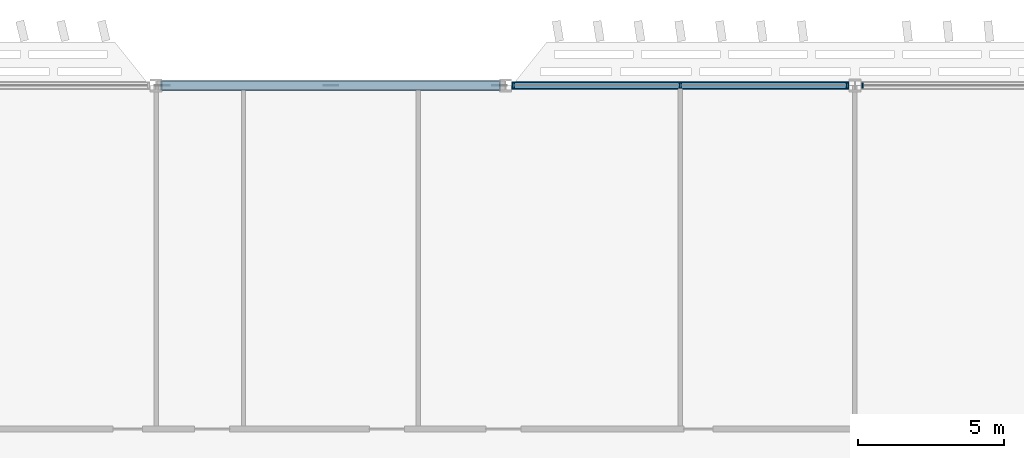
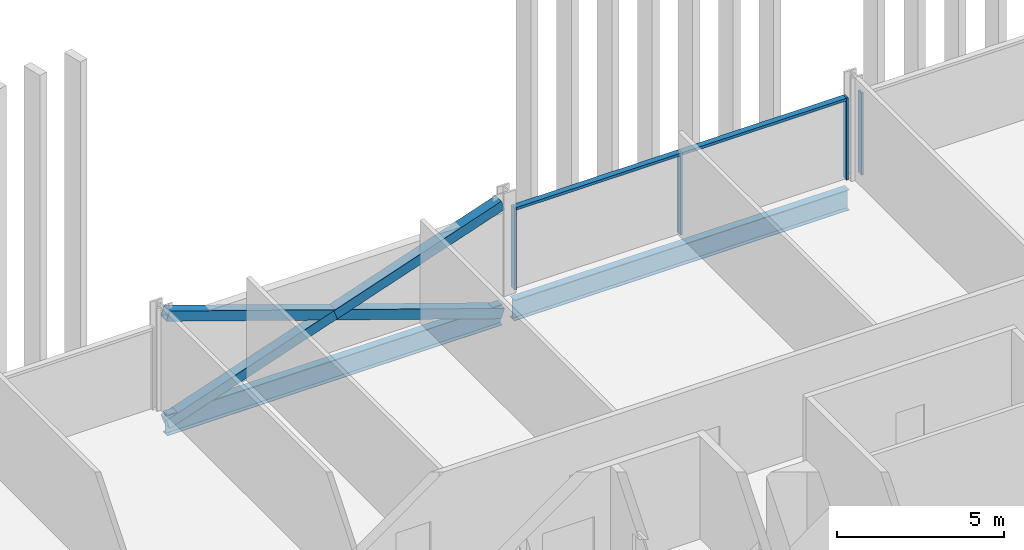
# One storey, part 7 of 31: 9 members, 2 beams, 2 elements without a shape of their own.
"""IFC4 building model written with IfcOpenShell, lengths in metres."""

import ifcopenshell
import ifcopenshell.guid

model = None  # the IFC model being written
_history = None  # IfcOwnerHistory: only IFC2X3 demands one
_inside = {}  # id of a spatial element -> (the spatial element, [elements in it])
_under = {}  # id of a project, library or spatial element -> (it, [spatial elements below it])
_declared = {}  # id of a project -> (the project, [libraries it declares])
_typed = {}  # id of a type object -> (the type object, [elements of that type])
_made_of = {}  # id of a material, layer set ... -> (it, [elements and type objects made of it])


def new_model(schema):
    """Start an empty IFC model of exactly this schema.

    Asked for "IFC4X3", IfcOpenShell would pick the latest addendum, in which some entities
    have other attributes; the version numbers below select the first issue.
    IFC2X3 requires an IfcOwnerHistory on every rooted entity: one is made here for all.
    """
    global model, _history
    if schema == "IFC4X3":
        model = ifcopenshell.file(schema_version=(4, 3, 0, 0))
    else:
        model = ifcopenshell.file(schema=schema)
    _inside.clear()
    _under.clear()
    _declared.clear()
    _typed.clear()
    _made_of.clear()
    _history = None
    if model.schema == "IFC2X3":
        org = make("IfcOrganization", Name="unknown")
        user = make(
            "IfcPersonAndOrganization",
            ThePerson=make("IfcPerson", FamilyName="unknown"),
            TheOrganization=org,
        )
        app = make(
            "IfcApplication",
            ApplicationDeveloper=org,
            Version="unknown",
            ApplicationFullName="unknown",
            ApplicationIdentifier="unknown",
        )
        _history = make(
            "IfcOwnerHistory",
            OwningUser=user,
            OwningApplication=app,
            ChangeAction="ADDED",
            CreationDate=0,
        )
    return model


def make(cls, **values):
    """One entity of the class cls with the attributes given. An attribute that is None is left unset."""
    return model.create_entity(
        cls, **{name: value for name, value in values.items() if value is not None}
    )


def rooted(cls, **values):
    """An entity with a GlobalId (a new one), such as an element, a storey or a relation."""
    return make(cls, GlobalId=ifcopenshell.guid.new(), OwnerHistory=_history, **values)


def si_unit(unit_type, name, prefix=None):
    """IfcSIUnit, for example si_unit("LENGTHUNIT", "METRE", prefix="MILLI")."""
    return make("IfcSIUnit", UnitType=unit_type, Prefix=prefix, Name=name)


def assignment(units):
    """IfcUnitAssignment: the units of a project."""
    return None if units is None else make("IfcUnitAssignment", Units=units)


def point(xyz):
    """IfcCartesianPoint."""
    return None if xyz is None else make("IfcCartesianPoint", Coordinates=xyz)


def direction(xyz):
    """IfcDirection."""
    return None if xyz is None else make("IfcDirection", DirectionRatios=xyz)


def frame(location, z_axis=None, x_axis=None):
    """IfcAxis2Placement3D, a coordinate frame: its origin and axes. An axis left out is left unset."""
    return make(
        "IfcAxis2Placement3D",
        Location=point(location),
        Axis=direction(z_axis),
        RefDirection=direction(x_axis),
    )


def frame_2d(location, x_axis=None):
    """IfcAxis2Placement2D, a coordinate frame in the plane: its origin and x axis."""
    return make(
        "IfcAxis2Placement2D", Location=point(location), RefDirection=direction(x_axis)
    )


def origin():
    """The frame at (0, 0, 0) with its axes left unset."""
    return frame((0.0, 0.0, 0.0))


def origin_2d():
    """The frame at (0, 0) in the plane with its x axis left unset."""
    return frame_2d((0.0, 0.0))


def place(relative_to, where):
    """IfcLocalPlacement: puts the frame where relative to a parent placement (None: the world)."""
    return make(
        "IfcLocalPlacement", PlacementRelTo=relative_to, RelativePlacement=where
    )


def context(
    kind, dimensions, precision=None, world=None, true_north=None, identifier=None
):
    """IfcGeometricRepresentationContext, for example the 3D "Model" context."""
    return make(
        "IfcGeometricRepresentationContext",
        ContextIdentifier=identifier,
        ContextType=kind,
        CoordinateSpaceDimension=dimensions,
        Precision=precision,
        WorldCoordinateSystem=world,
        TrueNorth=true_north,
    )


def subcontext(parent, identifier, kind, view, scale=None):
    """IfcGeometricRepresentationSubContext, for example "Body" below "Model"."""
    return make(
        "IfcGeometricRepresentationSubContext",
        ContextIdentifier=identifier,
        ContextType=kind,
        ParentContext=parent,
        TargetScale=scale,
        TargetView=view,
    )


def project(units=None, contexts=None):
    """IfcProject with its units and contexts."""
    return rooted(
        "IfcProject",
        Name="project",
        RepresentationContexts=contexts,
        UnitsInContext=assignment(units),
    )


def spatial(cls, under=None, at=None, **own):
    """A site, building, storey or space (cls), placed at a placement, below another one or the project."""
    s = rooted(cls, ObjectPlacement=at, **own)
    if under is not None:
        _under.setdefault(under.id(), (under, []))[1].append(s)
    return s


def profile(cls, at=None, kind="AREA", **sizes):
    """A parametric profile (cls). Its sizes go by their IFC names, for example OverallWidth=200.0."""
    return make(cls, ProfileType=kind, Position=at, **sizes)


def rectangle(**sizes):
    """IfcRectangleProfileDef."""
    return profile("IfcRectangleProfileDef", **sizes)


def hollow_rectangle(**sizes):
    """IfcRectangleHollowProfileDef."""
    return profile("IfcRectangleHollowProfileDef", **sizes)


def i_section(**sizes):
    """IfcIShapeProfileDef."""
    return profile("IfcIShapeProfileDef", **sizes)


def extrude(swept, where, along, depth):
    """IfcExtrudedAreaSolid: the profile swept, set in the frame where, extruded along a direction by depth."""
    return make(
        "IfcExtrudedAreaSolid",
        SweptArea=swept,
        Position=where,
        ExtrudedDirection=direction(along),
        Depth=depth,
    )


def shape(context_of_items, identifier, shape_type, items):
    """IfcShapeRepresentation: the items that make up one representation, for example the "Body"."""
    return make(
        "IfcShapeRepresentation",
        ContextOfItems=context_of_items,
        RepresentationIdentifier=identifier,
        RepresentationType=shape_type,
        Items=items,
    )


def material(Name=None, Category=None):
    """IfcMaterial."""
    return make("IfcMaterial", Name=Name, Category=Category)


def material_profile(
    of_material, cross_section, Name=None, Category=None, Priority=None
):
    """IfcMaterialProfile: a cross section and its material."""
    return make(
        "IfcMaterialProfile",
        Name=Name,
        Material=of_material,
        Profile=cross_section,
        Priority=Priority,
        Category=Category,
    )


def profile_set(profiles, Name=None, composite=None):
    """IfcMaterialProfileSet."""
    return make(
        "IfcMaterialProfileSet",
        Name=Name,
        MaterialProfiles=profiles,
        CompositeProfile=composite,
    )


def made_of(thing, what):
    """Note that an element or type object is made of a material, layer set ...; save() writes the relation."""
    if what is not None:
        _made_of.setdefault(what.id(), (what, []))[1].append(thing)
    return thing


def type_object(cls, material=None, **own):
    """A type object (cls), such as IfcWallType, which elements share."""
    return made_of(rooted(cls, **own), material)


def element(
    cls,
    number,
    at=None,
    inside=None,
    cuts=None,
    type_object=None,
    material=None,
    context=None,
    identifier="Body",
    shape_type=None,
    held_by="IfcProductDefinitionShape",
    body=None,
    shapes=None,
    **own,
):
    """One element of the class cls, such as IfcWall. Its Tag is "e" and its number.

    at: its placement. inside: the storey or other place that contains it. cuts: it is an
    opening in that element (IfcRelVoidsElement). A single representation is given by context,
    identifier, shape_type and body (its items); several are given by shapes. held_by: the class
    of the entity that holds the representations. save() writes the other relations.
    """
    e = rooted(cls, Tag="e%d" % number, ObjectPlacement=at, **own)
    if body is not None:
        shapes = [shape(context, identifier, shape_type, body)]
    if shapes is not None:
        e.Representation = make(held_by, Representations=shapes)
    if inside is not None:
        _inside.setdefault(inside.id(), (inside, []))[1].append(e)
    if cuts is not None:
        rooted(
            "IfcRelVoidsElement", RelatingBuildingElement=cuts, RelatedOpeningElement=e
        )
    if type_object is not None:
        _typed.setdefault(type_object.id(), (type_object, []))[1].append(e)
    return made_of(e, material)


def aggregate(whole, parts):
    """IfcRelAggregates: a whole, such as a stair, and the parts it consists of."""
    return rooted("IfcRelAggregates", RelatingObject=whole, RelatedObjects=parts)


def save(model, path):
    """Write the relations noted so far, then the file.

    IfcRelAggregates (storeys below a building ...), IfcRelContainedInSpatialStructure (elements
    in a storey), IfcRelDefinesByType, IfcRelAssociatesMaterial and IfcRelDeclares: one each for
    every whole, place, type object, material and project.
    """
    for whole, parts in _under.values():
        aggregate(whole, parts)
    for where, things in _inside.values():
        rooted(
            "IfcRelContainedInSpatialStructure",
            RelatedElements=things,
            RelatingStructure=where,
        )
    for kind, things in _typed.values():
        rooted("IfcRelDefinesByType", RelatedObjects=things, RelatingType=kind)
    for what, things in _made_of.values():
        rooted("IfcRelAssociatesMaterial", RelatedObjects=things, RelatingMaterial=what)
    for by, libraries in _declared.values():
        rooted("IfcRelDeclares", RelatingContext=by, RelatedDefinitions=libraries)
    model.write(path)


model = new_model("IFC4")

# Units and contexts
model_context = context("Model", 3, precision=1e-05, world=origin(), true_north=direction((0.0, 1.0)))
body_context = subcontext(model_context, "Body", "Model", "MODEL_VIEW")
ifc_project = project(units=[si_unit("LENGTHUNIT", "METRE"), si_unit("AREAUNIT", "SQUARE_METRE"), si_unit("VOLUMEUNIT", "CUBIC_METRE"), si_unit("PLANEANGLEUNIT", "RADIAN"), si_unit("MASSUNIT", "GRAM", prefix="KILO")], contexts=[model_context])

# Site, building, storey
site_placement = place(None, origin())
site = spatial("IfcSite", under=ifc_project, at=site_placement, CompositionType="ELEMENT")
building_placement = place(site_placement, origin())
building = spatial("IfcBuilding", under=site, at=building_placement, Name="Mahtab Terrace Research Tower", CompositionType="ELEMENT")
storey_placement = place(building_placement, frame((0.0, 0.0, 101.199951171875)))
storey = spatial("IfcBuildingStorey", under=building, at=storey_placement, Name="L23", CompositionType="ELEMENT", Elevation=101.199951171875)

# Members
ifc_material_1 = material(Name="Steel ASTM A500 Gr C", Category="steel")
ifc_material_profile_1 = material_profile(ifc_material_1, hollow_rectangle(XDim=0.355712890625, YDim=0.355712890625, WallThickness=0.01904296875, at=origin_2d()), Name="HSS14X14X3/4")
ifc_profile_set_1 = profile_set([ifc_material_profile_1], Name="Steel ASTM A500 Gr C")
member_type_1 = type_object("IfcMemberType", Name="HSS 14x14x3/4 brace XB141434", PredefinedType="BRACE", material=ifc_profile_set_1)
member_1_placement = place(storey_placement, frame((5.79052734375, 29.0, -0.646728515625), z_axis=(-0.946292853795, 0.0, 0.323310740397), x_axis=(0.0, -1.0, 0.0)))
element("IfcMember", 1, at=member_1_placement, inside=storey, type_object=member_type_1, Name="Exoskeleton brace L23 05 a", PredefinedType="BRACE", context=body_context, shape_type="SweptSolid", body=[
    extrude(hollow_rectangle(XDim=0.355712890625, YDim=0.355712890625, WallThickness=0.01904296875, at=origin_2d()), origin(), (0.0, 0.0, 1.0), 12.23828125),
])
for number, where, z_axis, x_axis, name in (
    (2, (-5.79052734375, 29.0, -0.646728515625), (0.946298956945, 0.0, 0.323292876639), (0.0, 1.0, 0.0), "Exoskeleton brace L23 05 b1"),
    (3, (0.0, 29.0, 1.33154296875), (0.946286750388, 0.0, 0.323328603809), (0.0, 1.0, 0.0), "Exoskeleton brace L23 05 b2"),
):
    element("IfcMember", number, at=place(storey_placement, frame(where, z_axis=z_axis, x_axis=x_axis)), inside=storey, type_object=member_type_1, Name=name, PredefinedType="BRACE", context=body_context, shape_type="SweptSolid", body=[
        extrude(hollow_rectangle(XDim=0.355712890625, YDim=0.355712890625, WallThickness=0.01904296875, at=origin_2d()), origin(), (0.0, 0.0, 1.0), 6.119140625),
    ])

# Curtain wall, member
ifc_material_2 = material(Name="Laboratory ribbon curtain wall")
curtain_wall_type = type_object("IfcCurtainWallType", Name="Laboratory ribbon curtain wall", PredefinedType="NOTDEFINED", material=ifc_material_2)
curtain_wall_1_placement = place(storey_placement, origin())
curtain_wall_1 = element("IfcCurtainWall", 4, at=curtain_wall_1_placement, inside=storey, type_object=curtain_wall_type, Name="EN.L23.3.5", PredefinedType="NOTDEFINED")
ifc_material_3 = material(Name="Natural anodised aluminium", Category="aluminium")
ifc_material_profile_2 = material_profile(ifc_material_3, rectangle(XDim=0.199951171875, YDim=0.06494140625, at=origin_2d()), Name="MULLION 65x200")
ifc_profile_set_2 = profile_set([ifc_material_profile_2], Name="Natural anodised aluminium")
member_type_2 = type_object("IfcMemberType", Name="Laboratory ribbon curtain wall mullion", PredefinedType="MULLION", material=ifc_profile_set_2)
member_2_placement = place(storey_placement, frame((18.260498046875, 29.0, 0.0), z_axis=(0.0, 0.0, 1.0), x_axis=(0.0, -1.0, 0.0)))
member_2 = element("IfcMember", 5, at=member_2_placement, type_object=member_type_2, Name="CWL-3 mullion 3", PredefinedType="MULLION", context=body_context, shape_type="SweptSolid", body=[
    extrude(rectangle(XDim=0.199951171875, YDim=0.06494140625, at=origin_2d()), origin(), (0.0, 0.0, 1.0), 3.003173828125),
])
aggregate(curtain_wall_1, [member_2])

# Curtain wall, members
curtain_wall_2_placement = place(storey_placement, origin())
curtain_wall_2 = element("IfcCurtainWall", 6, at=curtain_wall_2_placement, inside=storey, type_object=curtain_wall_type, Name="EN.L23.3.6", PredefinedType="NOTDEFINED")
member_3_placement = place(storey_placement, frame((17.739501953125, 29.0, 0.0), z_axis=(0.0, 0.0, 1.0), x_axis=(0.0, -1.0, 0.0)))
member_3 = element("IfcMember", 7, at=member_3_placement, type_object=member_type_2, Name="CWL-3 mullion 1", PredefinedType="MULLION", context=body_context, shape_type="SweptSolid", body=[
    extrude(rectangle(XDim=0.199951171875, YDim=0.06494140625, at=origin_2d()), origin(), (0.0, 0.0, 1.0), 3.003173828125),
])
member_4_placement = place(storey_placement, frame((12.0, 29.0, 0.0), z_axis=(0.0, 0.0, 1.0), x_axis=(0.0, -1.0, 0.0)))
member_4 = element("IfcMember", 8, at=member_4_placement, type_object=member_type_2, Name="CWL-3 mullion 2", PredefinedType="MULLION", context=body_context, shape_type="SweptSolid", body=[
    extrude(rectangle(XDim=0.199951171875, YDim=0.06494140625, at=origin_2d()), origin(), (0.0, 0.0, 1.0), 3.003173828125),
])
member_5_placement = place(storey_placement, frame((6.260498046875, 29.0, 0.0), z_axis=(0.0, 0.0, 1.0), x_axis=(0.0, -1.0, 0.0)))
member_5 = element("IfcMember", 9, at=member_5_placement, type_object=member_type_2, Name="CWL-3 mullion 3", PredefinedType="MULLION", context=body_context, shape_type="SweptSolid", body=[
    extrude(rectangle(XDim=0.199951171875, YDim=0.06494140625, at=origin_2d()), origin(), (0.0, 0.0, 1.0), 3.003173828125),
])
ifc_material_profile_3 = material_profile(ifc_material_3, rectangle(XDim=0.199951171875, YDim=0.10009765625, at=origin_2d()), Name="TRANSOM 100x200")
ifc_profile_set_3 = profile_set([ifc_material_profile_3], Name="Natural anodised aluminium")
member_type_3 = type_object("IfcMemberType", Name="Laboratory ribbon curtain wall transom", PredefinedType="USERDEFINED", material=ifc_profile_set_3)
member_6_placement = place(storey_placement, frame((17.70703125, 29.0, 2.953125), z_axis=(-1.0, 0.0, 0.0), x_axis=(0.0, -1.0, 0.0)))
member_6 = element("IfcMember", 10, at=member_6_placement, type_object=member_type_3, Name="CWL-3 transom 1", ObjectType="TRANSOM", PredefinedType="USERDEFINED", context=body_context, shape_type="SweptSolid", body=[
    extrude(rectangle(XDim=0.199951171875, YDim=0.10009765625, at=origin_2d()), origin(), (0.0, 0.0, 1.0), 5.674560546875),
])
member_7_placement = place(storey_placement, frame((11.967529296875, 29.0, 2.953125), z_axis=(-1.0, 0.0, 0.0), x_axis=(0.0, -1.0, 0.0)))
member_7 = element("IfcMember", 11, at=member_7_placement, type_object=member_type_3, Name="CWL-3 transom 2", ObjectType="TRANSOM", PredefinedType="USERDEFINED", context=body_context, shape_type="SweptSolid", body=[
    extrude(rectangle(XDim=0.199951171875, YDim=0.10009765625, at=origin_2d()), origin(), (0.0, 0.0, 1.0), 5.674560546875),
])
aggregate(curtain_wall_2, [member_3, member_4, member_5, member_6, member_7])

# Beams
ifc_material_4 = material(Name="Steel ASTM A992 Gr 50", Category="steel")
ifc_material_profile_4 = material_profile(ifc_material_4, i_section(OverallWidth=0.2666015625, OverallDepth=0.7568359375, WebThickness=0.013916015625, FlangeThickness=0.019287109375, at=origin_2d()), Name="W30X108")
ifc_profile_set_4 = profile_set([ifc_material_profile_4], Name="Steel ASTM A992 Gr 50")
beam_type = type_object("IfcBeamType", Name="W30x108 beam BS30108", PredefinedType="BEAM", material=ifc_profile_set_4)
for number, where, z_axis, x_axis, name in (
    (12, (17.79052734375, 29.0, -0.718505859375), (-1.0, 0.0, 0.0), (0.0, -1.0, 0.0), "Spandrel beam L23 04"),
    (13, (5.79052734375, 29.0, -0.718505859375), (-1.0, 0.0, 0.0), (0.0, -1.0, 0.0), "Spandrel beam L23 05"),
):
    element("IfcBeam", number, at=place(storey_placement, frame(where, z_axis=z_axis, x_axis=x_axis)), inside=storey, type_object=beam_type, Name=name, PredefinedType="BEAM", context=body_context, shape_type="SweptSolid", body=[
        extrude(i_section(OverallWidth=0.2666015625, OverallDepth=0.7568359375, WebThickness=0.013916015625, FlangeThickness=0.019287109375, at=origin_2d()), origin(), (0.0, 0.0, 1.0), 11.5810546875),
    ])

save(model, "model.ifc")
